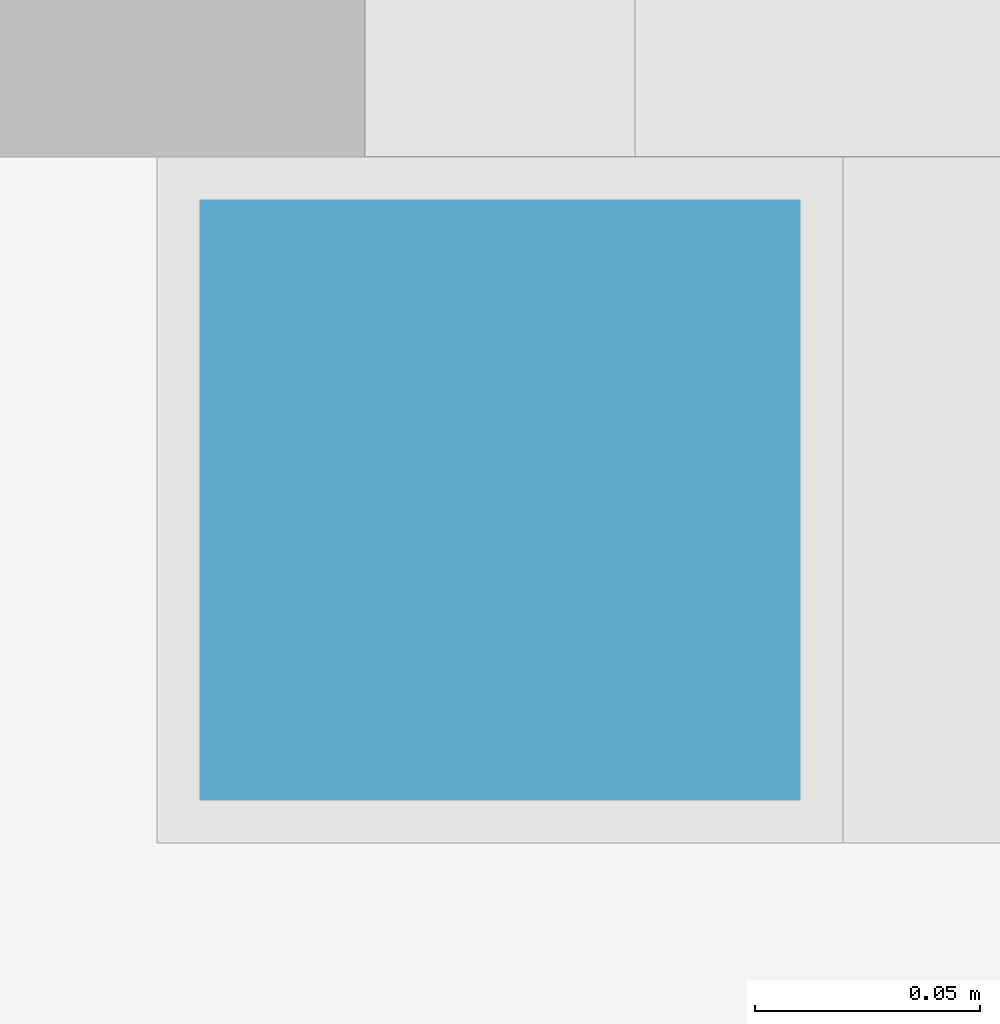
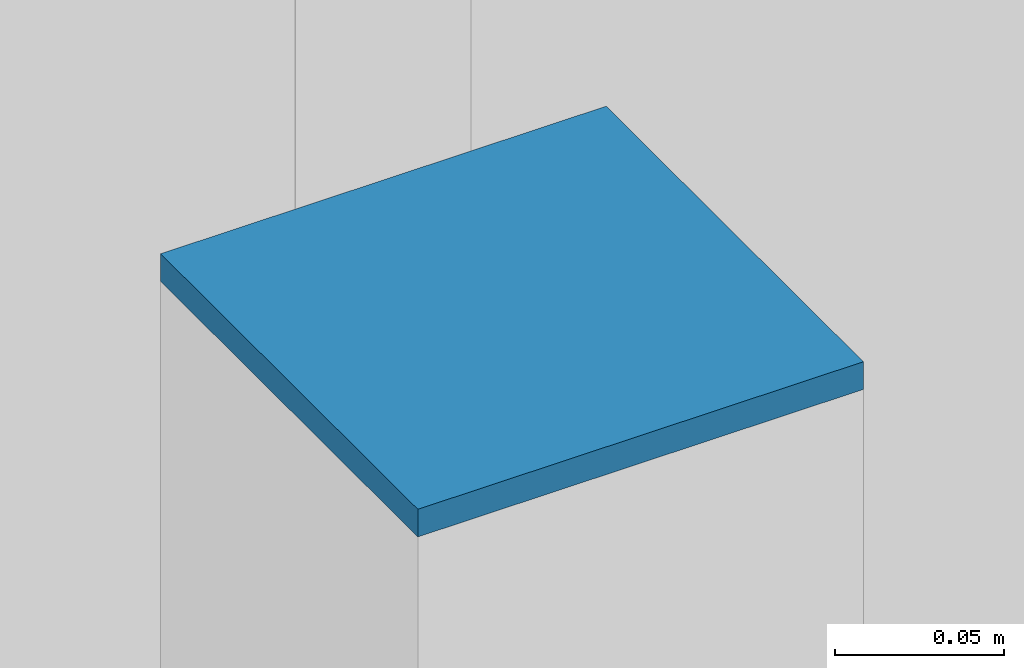
# One storey, part 66 of 93: 1 discrete accessory.
"""IFC4 building model written with IfcOpenShell, lengths in metres."""

from ifc_helpers import new_model, si_unit, direction, frame, origin, origin_2d, place, context, subcontext, project, spatial, rectangle, extrude, material, material_profile, profile_set, type_object, element, save


model = new_model("IFC4")

# Units and contexts
model_context = context("Model", 3, precision=1e-05, world=origin(), true_north=direction((0.0, 1.0)))
body_context = subcontext(model_context, "Body", "Model", "MODEL_VIEW")
ifc_project = project(units=[si_unit("LENGTHUNIT", "METRE"), si_unit("AREAUNIT", "SQUARE_METRE"), si_unit("VOLUMEUNIT", "CUBIC_METRE"), si_unit("PLANEANGLEUNIT", "RADIAN"), si_unit("MASSUNIT", "GRAM", prefix="KILO")], contexts=[model_context])

# Site, building, storey
site_placement = place(None, origin())
site = spatial("IfcSite", under=ifc_project, at=site_placement, CompositionType="ELEMENT")
building_placement = place(site_placement, origin())
building = spatial("IfcBuilding", under=site, at=building_placement, Name="Verrick Yard Athletic Hall", CompositionType="ELEMENT")
storey_placement = place(building_placement, frame((0.0, 0.0, 8.800048828125)))
storey = spatial("IfcBuildingStorey", under=building, at=storey_placement, Name="L02", CompositionType="ELEMENT", Elevation=8.800048828125)

# Discrete accessory
ifc_material = material(Name="Structural steel 350W (CSA G40.21)", Category="steel")
ifc_material_profile = material_profile(ifc_material, rectangle(XDim=0.15234375, YDim=0.15234375, at=origin_2d()), Name="STR End cap plate 152x152x9.5")
ifc_profile_set = profile_set([ifc_material_profile], Name="Structural steel 350W (CSA G40.21)")
discrete_accessory_type = type_object("IfcDiscreteAccessoryType", Name="STR End cap plate 152x152x9.5", PredefinedType="BRACKET", material=ifc_profile_set)
discrete_accessory_placement = place(storey_placement, frame((121.60009765625, 107.50537109375, 5.054443359375), z_axis=(0.0, 0.0, 1.0), x_axis=(1.0, 0.0, 0.0)))
element("IfcDiscreteAccessory", 1, at=discrete_accessory_placement, inside=storey, type_object=discrete_accessory_type, Name="End cap HB-GP-AN-0 B", PredefinedType="BRACKET", context=body_context, shape_type="SweptSolid", body=[
    extrude(rectangle(XDim=0.15234375, YDim=0.15234375, at=origin_2d()), origin(), (0.0, 0.0, 1.0), 0.010009765625),
])

save(model, "model.ifc")
